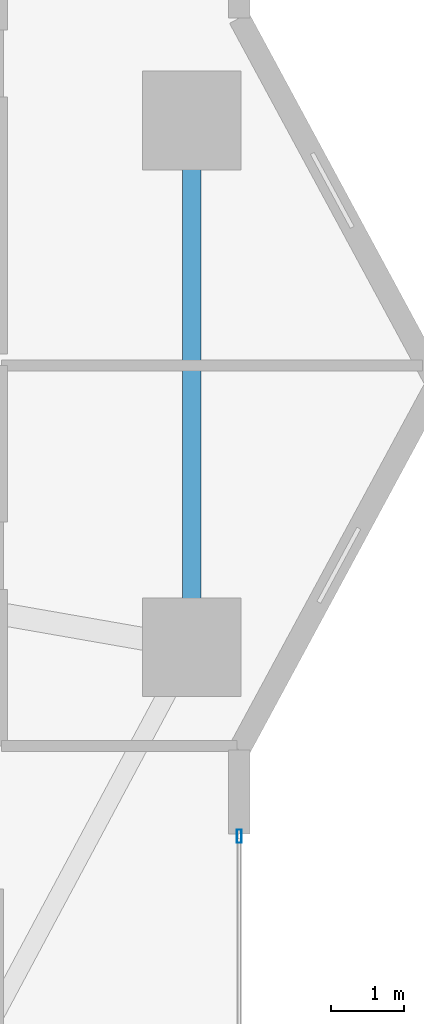
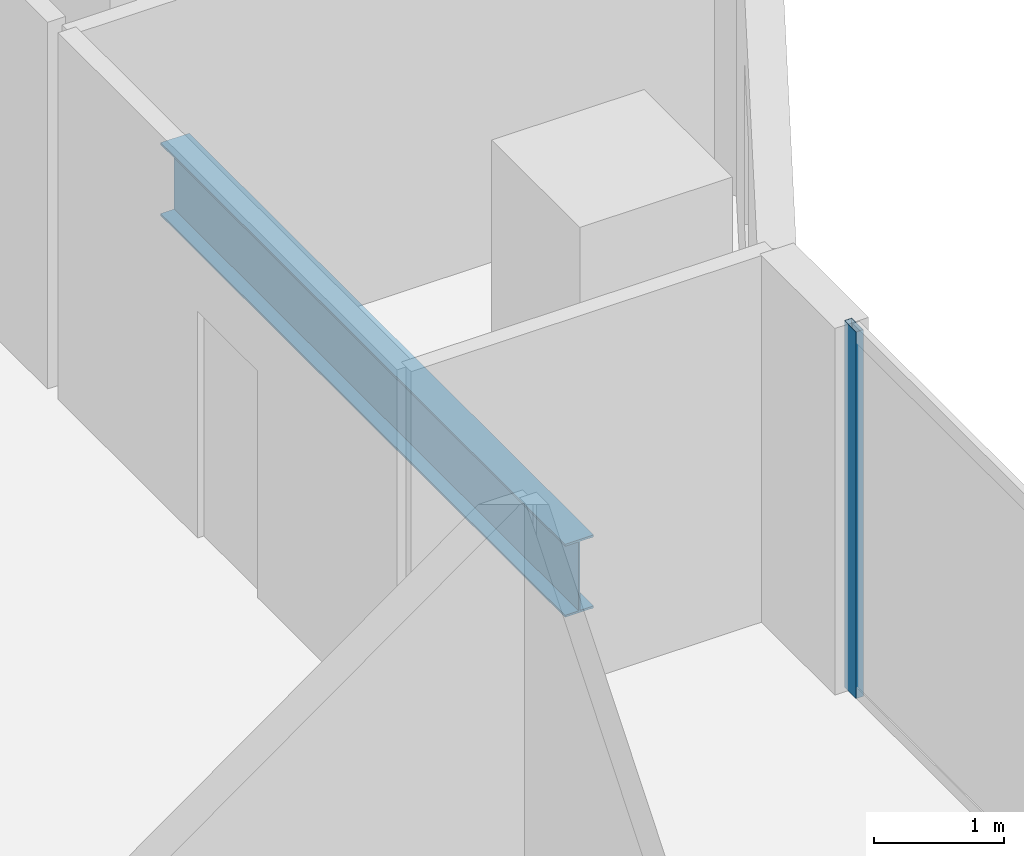
# One storey, part 13 of 28: 1 beam, 1 member, 1 element without a shape of its own.
"""IFC4 building model written with IfcOpenShell, lengths in metres."""

from ifc_helpers import new_model, si_unit, direction, frame, origin, origin_2d, place, context, subcontext, project, spatial, hollow_rectangle, i_section, extrude, material, layer, layer_set, material_profile, profile_set, type_object, element, aggregate, save


model = new_model("IFC4")

# Units and contexts
model_context = context("Model", 3, precision=1e-05, world=origin(), true_north=direction((0.0, 1.0)))
body_context = subcontext(model_context, "Body", "Model", "MODEL_VIEW")
ifc_project = project(units=[si_unit("LENGTHUNIT", "METRE"), si_unit("AREAUNIT", "SQUARE_METRE"), si_unit("VOLUMEUNIT", "CUBIC_METRE"), si_unit("PLANEANGLEUNIT", "RADIAN"), si_unit("MASSUNIT", "GRAM", prefix="KILO")], contexts=[model_context])

# Site, building, storey
site_placement = place(None, origin())
site = spatial("IfcSite", under=ifc_project, at=site_placement, CompositionType="ELEMENT")
building_placement = place(site_placement, origin())
building = spatial("IfcBuilding", under=site, at=building_placement, Name="Zuhayl Quay Hotel", CompositionType="ELEMENT")
storey_placement = place(building_placement, frame((0.0, 0.0, 143.10009765625)))
storey = spatial("IfcBuildingStorey", under=building, at=storey_placement, Name="L36", CompositionType="ELEMENT", Elevation=143.10009765625)

# Beam
ifc_material_1 = material(Name="Steel ASTM A992 Grade 50", Category="steel")
ifc_material_profile_1 = material_profile(ifc_material_1, i_section(OverallWidth=0.25390625, OverallDepth=0.68310546875, WebThickness=0.012451171875, FlangeThickness=0.018798828125, at=origin_2d()), Name="W27X94")
ifc_profile_set_1 = profile_set([ifc_material_profile_1], Name="Steel ASTM A992 Grade 50")
beam_type = type_object("IfcBeamType", Name="BM_B2_W27X94", PredefinedType="BEAM", material=ifc_profile_set_1)
beam_placement = place(storey_placement, frame((23.25, 3.39990234375, -0.5615234375), z_axis=(0.0, 1.0, 0.0), x_axis=(-1.0, 0.0, 0.0)))
element("IfcBeam", 1, at=beam_placement, inside=storey, type_object=beam_type, Name="L36 Floor Beam RG_L36_05", PredefinedType="BEAM", context=body_context, shape_type="SweptSolid", body=[
    extrude(i_section(OverallWidth=0.25390625, OverallDepth=0.68310546875, WebThickness=0.012451171875, FlangeThickness=0.018798828125, at=origin_2d()), origin(), (0.0, 0.0, 1.0), 6.2001953125),
])

# Curtain wall, member
ifc_material_2 = material(Name="Anodised Aluminium 6063-T6", Category="aluminium")
ifc_layer = layer(ifc_material_2, 0.179931640625, Name="Anodised Aluminium 6063-T6", Category="aluminium")
ifc_layer_set = layer_set([ifc_layer], Name="Anodised Aluminium 6063-T6")
curtain_wall_type = type_object("IfcCurtainWallType", Name="CW_SYS_Z2", PredefinedType="USERDEFINED", material=ifc_layer_set)
curtain_wall_placement = place(storey_placement, origin())
curtain_wall = element("IfcCurtainWall", 2, at=curtain_wall_placement, inside=storey, type_object=curtain_wall_type, Name="L36 Curtain Wall ENV_L36_E14_CW1", ObjectType="UNITISED CURTAIN WALL", PredefinedType="USERDEFINED")
ifc_material_3 = material(Name="Black-anodised aluminium 6063-T6", Category="aluminium")
ifc_material_profile_2 = material_profile(ifc_material_3, hollow_rectangle(XDim=0.06494140625, YDim=0.179931640625, WallThickness=0.00341796875, at=origin_2d()), Name="ALU180X65")
ifc_profile_set_2 = profile_set([ifc_material_profile_2], Name="Black-anodised aluminium 6063-T6")
member_type = type_object("IfcMemberType", Name="MB_CW_MUL_180", PredefinedType="MULLION", material=ifc_profile_set_2)
member_placement = place(storey_placement, frame((23.89990234375, 0.3173828125, 0.0), z_axis=(0.0, 0.0, 1.0), x_axis=(1.0, 0.0, 0.0)))
member = element("IfcMember", 3, at=member_placement, type_object=member_type, Name="CW-Z2 mullion 1", PredefinedType="MULLION", context=body_context, shape_type="SweptSolid", body=[
    extrude(hollow_rectangle(XDim=0.06494140625, YDim=0.179931640625, WallThickness=0.00341796875, at=origin_2d()), origin(), (0.0, 0.0, 1.0), 3.429931640625),
])
aggregate(curtain_wall, [member])

save(model, "model.ifc")
